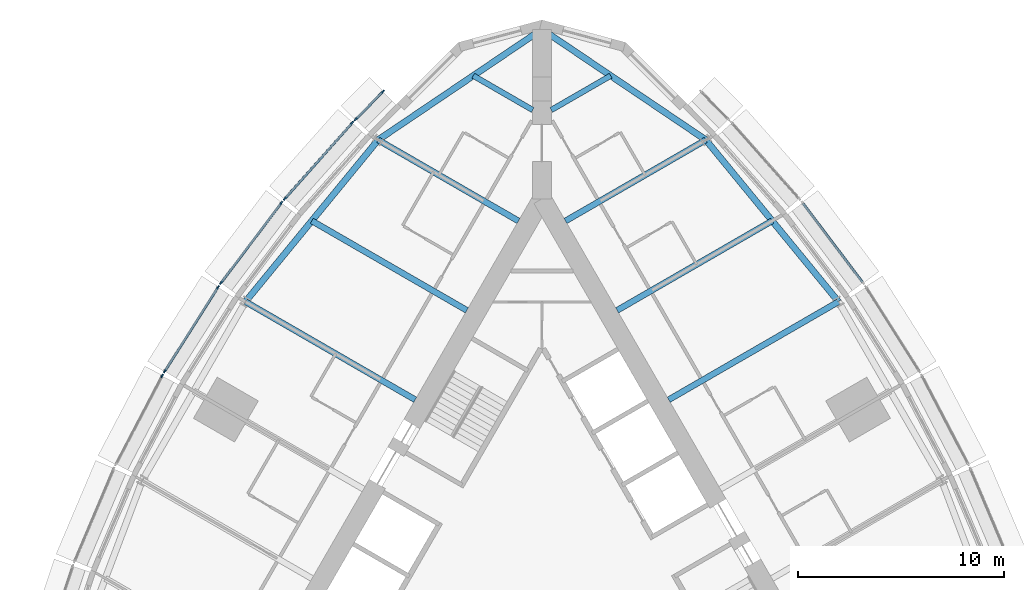
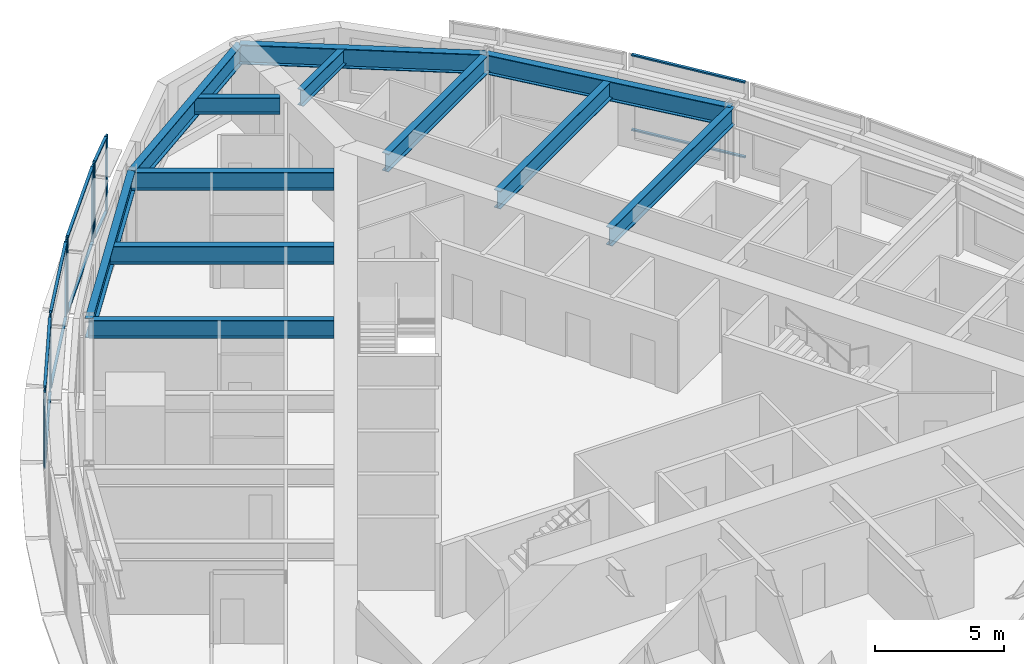
# One storey, part 5 of 15: 19 members, 12 beams, 6 elements without a shape of their own.
"""IFC4 building model written with IfcOpenShell, lengths in metres."""

from ifc_helpers import new_model, si_unit, direction, frame, origin, origin_2d, place, context, subcontext, project, spatial, rectangle, i_section, extrude, material, material_profile, profile_set, type_object, element, aggregate, save


model = new_model("IFC4")

# Units and contexts
model_context = context("Model", 3, precision=1e-05, world=origin(), true_north=direction((0.0, 1.0)))
body_context = subcontext(model_context, "Body", "Model", "MODEL_VIEW")
ifc_project = project(units=[si_unit("LENGTHUNIT", "METRE"), si_unit("AREAUNIT", "SQUARE_METRE"), si_unit("VOLUMEUNIT", "CUBIC_METRE"), si_unit("PLANEANGLEUNIT", "RADIAN"), si_unit("MASSUNIT", "GRAM", prefix="KILO")], contexts=[model_context])

# Site, building, storey
site_placement = place(None, origin())
site = spatial("IfcSite", under=ifc_project, at=site_placement, CompositionType="ELEMENT")
building_placement = place(site_placement, origin())
building = spatial("IfcBuilding", under=site, at=building_placement, Name="Trikona Tower", CompositionType="ELEMENT")
storey_placement = place(building_placement, frame((0.0, 0.0, 200.89990234375)))
storey = spatial("IfcBuildingStorey", under=building, at=storey_placement, Name="L53", CompositionType="ELEMENT", Elevation=200.89990234375)

# Curtain wall, members
ifc_material_1 = material(Name="Aluminium curtain wall system", Category="aluminium")
curtain_wall_type = type_object("IfcCurtainWallType", Name="Curtain wall DS3", PredefinedType="NOTDEFINED", material=ifc_material_1)
curtain_wall_1_placement = place(storey_placement, origin())
curtain_wall_1 = element("IfcCurtainWall", 1, at=curtain_wall_1_placement, inside=storey, type_object=curtain_wall_type, Name="Curtain wall DS3 L53", PredefinedType="NOTDEFINED")
ifc_material_2 = material(Name="Aluminium mullion, pale anodised", Category="aluminium")
ifc_material_profile_1 = material_profile(ifc_material_2, rectangle(XDim=0.070068359375, YDim=0.179931640625, at=origin_2d()), Name="MUL-DS3")
ifc_profile_set_1 = profile_set([ifc_material_profile_1], Name="Aluminium mullion, pale anodised")
member_type_1 = type_object("IfcMemberType", Name="Mullion DS3 70x180", PredefinedType="MULLION", material=ifc_profile_set_1)
member_1_placement = place(storey_placement, frame((-7.7060546875, 24.237548828125, 0.0), z_axis=(0.0, 0.0, 1.0), x_axis=(0.710051900554, -0.704149343903, 0.0)))
member_1 = element("IfcMember", 2, at=member_1_placement, type_object=member_type_1, Name="CW-DS3 mullion 1", PredefinedType="MULLION", context=body_context, shape_type="SweptSolid", body=[
    extrude(rectangle(XDim=0.070068359375, YDim=0.179931640625, at=origin_2d()), origin(), (0.0, 0.0, 1.0), 3.60009765625),
])
member_2_placement = place(storey_placement, frame((-9.028564453125, 22.904052734375, 0.0), z_axis=(0.0, 0.0, 1.0), x_axis=(0.710051900554, -0.704149343903, 0.0)))
member_2 = element("IfcMember", 3, at=member_2_placement, type_object=member_type_1, Name="CW-DS3 mullion 2", PredefinedType="MULLION", context=body_context, shape_type="SweptSolid", body=[
    extrude(rectangle(XDim=0.070068359375, YDim=0.179931640625, at=origin_2d()), origin(), (0.0, 0.0, 1.0), 3.60009765625),
])

curtain_wall_2_placement = place(storey_placement, origin())
curtain_wall_2 = element("IfcCurtainWall", 4, at=curtain_wall_2_placement, inside=storey, type_object=curtain_wall_type, Name="Curtain wall DS3 L53", PredefinedType="NOTDEFINED")
member_3_placement = place(storey_placement, frame((-9.192138671875, 22.729736328125, 0.0), z_axis=(0.0, 0.0, 1.0), x_axis=(0.747402677853, -0.664371309689, 0.0)))
member_3 = element("IfcMember", 5, at=member_3_placement, type_object=member_type_1, Name="CW-DS3 mullion 1", PredefinedType="MULLION", context=body_context, shape_type="SweptSolid", body=[
    extrude(rectangle(XDim=0.070068359375, YDim=0.179931640625, at=origin_2d()), origin(), (0.0, 0.0, 1.0), 3.60009765625),
])
member_4_placement = place(storey_placement, frame((-12.45751953125, 19.056396484375, 0.0), z_axis=(0.0, 0.0, 1.0), x_axis=(0.747402677853, -0.664371309689, 0.0)))
member_4 = element("IfcMember", 6, at=member_4_placement, type_object=member_type_1, Name="CW-DS3 mullion 2", PredefinedType="MULLION", context=body_context, shape_type="SweptSolid", body=[
    extrude(rectangle(XDim=0.070068359375, YDim=0.179931640625, at=origin_2d()), origin(), (0.0, 0.0, 1.0), 3.60009765625),
])

curtain_wall_3_placement = place(storey_placement, origin())
curtain_wall_3 = element("IfcCurtainWall", 7, at=curtain_wall_3_placement, inside=storey, type_object=curtain_wall_type, Name="Curtain wall DS3 L53", PredefinedType="NOTDEFINED")
member_5_placement = place(storey_placement, frame((-12.62353515625, 18.853759765625, 0.0), z_axis=(0.0, 0.0, 1.0), x_axis=(0.798193208724, -0.602401528506, 0.0)))
member_5 = element("IfcMember", 8, at=member_5_placement, type_object=member_type_1, Name="CW-DS3 mullion 1", PredefinedType="MULLION", context=body_context, shape_type="SweptSolid", body=[
    extrude(rectangle(XDim=0.070068359375, YDim=0.179931640625, at=origin_2d()), origin(), (0.0, 0.0, 1.0), 3.60009765625),
])
member_6_placement = place(storey_placement, frame((-15.5439453125, 14.984130859375, 0.0), z_axis=(0.0, 0.0, 1.0), x_axis=(0.798193208724, -0.602401528506, 0.0)))
member_6 = element("IfcMember", 9, at=member_6_placement, type_object=member_type_1, Name="CW-DS3 mullion 2", PredefinedType="MULLION", context=body_context, shape_type="SweptSolid", body=[
    extrude(rectangle(XDim=0.070068359375, YDim=0.179931640625, at=origin_2d()), origin(), (0.0, 0.0, 1.0), 3.60009765625),
])

curtain_wall_4_placement = place(storey_placement, origin())
curtain_wall_4 = element("IfcCurtainWall", 10, at=curtain_wall_4_placement, inside=storey, type_object=curtain_wall_type, Name="Curtain wall DS3 L53", PredefinedType="NOTDEFINED")
member_7_placement = place(storey_placement, frame((-15.69384765625, 14.767578125, 0.0), z_axis=(0.0, 0.0, 1.0), x_axis=(0.844727131858, -0.535197227854, 0.0)))
member_7 = element("IfcMember", 11, at=member_7_placement, type_object=member_type_1, Name="CW-DS3 mullion 1", PredefinedType="MULLION", context=body_context, shape_type="SweptSolid", body=[
    extrude(rectangle(XDim=0.070068359375, YDim=0.179931640625, at=origin_2d()), origin(), (0.0, 0.0, 1.0), 3.60009765625),
])
member_8_placement = place(storey_placement, frame((-18.2705078125, 10.700927734375, 0.0), z_axis=(0.0, 0.0, 1.0), x_axis=(0.844727131858, -0.535197227854, 0.0)))
member_8 = element("IfcMember", 12, at=member_8_placement, type_object=member_type_1, Name="CW-DS3 mullion 2", PredefinedType="MULLION", context=body_context, shape_type="SweptSolid", body=[
    extrude(rectangle(XDim=0.070068359375, YDim=0.179931640625, at=origin_2d()), origin(), (0.0, 0.0, 1.0), 3.60009765625),
])

# Curtain wall, member
curtain_wall_5_placement = place(storey_placement, origin())
curtain_wall_5 = element("IfcCurtainWall", 13, at=curtain_wall_5_placement, inside=storey, type_object=curtain_wall_type, Name="Curtain wall DS3 L53", PredefinedType="NOTDEFINED")
member_9_placement = place(storey_placement, frame((-18.40234375, 10.472412109375, 0.0), z_axis=(0.0, 0.0, 1.0), x_axis=(0.885862390527, -0.463948084434, 0.0)))
member_9 = element("IfcMember", 14, at=member_9_placement, type_object=member_type_1, Name="CW-DS3 mullion 1", PredefinedType="MULLION", context=body_context, shape_type="SweptSolid", body=[
    extrude(rectangle(XDim=0.070068359375, YDim=0.179931640625, at=origin_2d()), origin(), (0.0, 0.0, 1.0), 3.60009765625),
])
aggregate(curtain_wall_5, [member_9])

# Beams
ifc_material_3 = material(Name="Steel ASTM A992 Grade 50", Category="steel")
ifc_material_profile_2 = material_profile(ifc_material_3, i_section(OverallWidth=0.2666015625, OverallDepth=0.76953125, WebThickness=0.015625, FlangeThickness=0.025390625, at=origin_2d()), Name="W30X132")
ifc_profile_set_2 = profile_set([ifc_material_profile_2], Name="Steel ASTM A992 Grade 50")
beam_type_1 = type_object("IfcBeamType", Name="Steel beam W30x132 (wedge)", PredefinedType="BEAM", material=ifc_profile_set_2)
for number, where, z_axis, x_axis, name in (
    (15, (0.449951171875, 23.353759765625, 3.05029296875), (0.866019199568, 0.500010745865, 0.0), (-0.500010745865, 0.866019199568, 0.0), "Floor beam L54 F2 u20"),
    (16, (-0.449951171875, 23.353759765625, 3.05029296875), (-0.866019199568, 0.500010745865, 0.0), (-0.500010745865, -0.866019199568, 0.0), "Floor beam L54 F3 u-20"),
):
    element("IfcBeam", number, at=place(storey_placement, frame(where, z_axis=z_axis, x_axis=x_axis)), inside=storey, type_object=beam_type_1, Name=name, PredefinedType="BEAM", context=body_context, shape_type="SweptSolid", body=[
        extrude(i_section(OverallWidth=0.2666015625, OverallDepth=0.76953125, WebThickness=0.015625, FlangeThickness=0.025390625, at=origin_2d()), origin(), (0.0, 0.0, 1.0), 3.3232421875),
    ])
ifc_material_4 = material(Name="Steel ASTM A992 Grade 50", Category="steel")
ifc_material_profile_3 = material_profile(ifc_material_4, i_section(OverallWidth=0.2919921875, OverallDepth=0.845703125, WebThickness=0.015380859375, FlangeThickness=0.0244140625, at=origin_2d()), Name="W33X141")
ifc_profile_set_3 = profile_set([ifc_material_profile_3], Name="Steel ASTM A992 Grade 50")
beam_type_2 = type_object("IfcBeamType", Name="Steel beam W33x141 (radial typ)", PredefinedType="BEAM", material=ifc_profile_set_3)
beam_1_placement = place(storey_placement, frame((6.1396484375, 9.318359375, 3.01220703125), z_axis=(0.866030596895, 0.49999100516, 0.0), x_axis=(-0.49999100516, 0.866030596895, 0.0)))
element("IfcBeam", 17, at=beam_1_placement, inside=storey, type_object=beam_type_2, Name="Floor beam L54 F2 u5", PredefinedType="BEAM", context=body_context, shape_type="SweptSolid", body=[
    extrude(i_section(OverallWidth=0.2919921875, OverallDepth=0.845703125, WebThickness=0.015380859375, FlangeThickness=0.0244140625, at=origin_2d()), origin(), (0.0, 0.0, 1.0), 9.495849609375),
])
beam_2_placement = place(storey_placement, frame((3.6396484375, 13.6484375, 3.01220703125), z_axis=(0.866018686634, 0.500011634266, 0.0), x_axis=(-0.500011634266, 0.866018686634, 0.0)))
element("IfcBeam", 18, at=beam_2_placement, inside=storey, type_object=beam_type_2, Name="Floor beam L54 F2 u10", PredefinedType="BEAM", context=body_context, shape_type="SweptSolid", body=[
    extrude(i_section(OverallWidth=0.2919921875, OverallDepth=0.845703125, WebThickness=0.015380859375, FlangeThickness=0.0244140625, at=origin_2d()), origin(), (0.0, 0.0, 1.0), 8.672119140625),
])
for number, where, z_axis, x_axis, name in (
    (19, (1.1396484375, 17.978515625, 3.01220703125), (0.866025522914, 0.499999793661, 0.0), (-0.499999793661, 0.866025522914, 0.0), "Floor beam L54 F2 u15"),
    (20, (-1.1396484375, 17.978515625, 3.01220703125), (-0.866025522914, 0.499999793661, 0.0), (-0.499999793661, -0.866025522914, 0.0), "Floor beam L54 F3 u-15"),
):
    element("IfcBeam", number, at=place(storey_placement, frame(where, z_axis=z_axis, x_axis=x_axis)), inside=storey, type_object=beam_type_2, Name=name, PredefinedType="BEAM", context=body_context, shape_type="SweptSolid", body=[
        extrude(i_section(OverallWidth=0.2919921875, OverallDepth=0.845703125, WebThickness=0.015380859375, FlangeThickness=0.0244140625, at=origin_2d()), origin(), (0.0, 0.0, 1.0), 7.8486328125),
    ])
beam_3_placement = place(storey_placement, frame((-3.6396484375, 13.6484375, 3.01220703125), z_axis=(-0.866018686634, 0.500011634266, 0.0), x_axis=(-0.500011634266, -0.866018686634, 0.0)))
element("IfcBeam", 21, at=beam_3_placement, inside=storey, type_object=beam_type_2, Name="Floor beam L54 F3 u-10", PredefinedType="BEAM", context=body_context, shape_type="SweptSolid", body=[
    extrude(i_section(OverallWidth=0.2919921875, OverallDepth=0.845703125, WebThickness=0.015380859375, FlangeThickness=0.0244140625, at=origin_2d()), origin(), (0.0, 0.0, 1.0), 8.672119140625),
])
beam_4_placement = place(storey_placement, frame((-6.1396484375, 9.318359375, 3.01220703125), z_axis=(-0.866030596895, 0.49999100516, 0.0), x_axis=(-0.49999100516, -0.866030596895, 0.0)))
element("IfcBeam", 22, at=beam_4_placement, inside=storey, type_object=beam_type_2, Name="Floor beam L54 F3 u-5", PredefinedType="BEAM", context=body_context, shape_type="SweptSolid", body=[
    extrude(i_section(OverallWidth=0.2919921875, OverallDepth=0.845703125, WebThickness=0.015380859375, FlangeThickness=0.0244140625, at=origin_2d()), origin(), (0.0, 0.0, 1.0), 9.495849609375),
])
ifc_material_5 = material(Name="Steel ASTM A992 Grade 50", Category="steel")
ifc_material_profile_4 = material_profile(ifc_material_5, i_section(OverallWidth=0.307373046875, OverallDepth=0.922119140625, WebThickness=0.018310546875, FlangeThickness=0.030029296875, at=origin_2d()), Name="W36X182")
ifc_profile_set_4 = profile_set([ifc_material_profile_4], Name="Steel ASTM A992 Grade 50")
beam_type_3 = type_object("IfcBeamType", Name="Steel beam W36x182 (spandrel mid)", PredefinedType="SPANDREL", material=ifc_profile_set_4)
beam_5_placement = place(storey_placement, frame((14.36328125, 14.066162109375, 2.97412109375), z_axis=(-0.634105803308, 0.77324629337, 0.0), x_axis=(-0.77324629337, -0.634105803308, 0.0)))
element("IfcBeam", 23, at=beam_5_placement, inside=storey, type_object=beam_type_3, Name="Spandrel beam L54 F2-4", PredefinedType="SPANDREL", context=body_context, shape_type="SweptSolid", body=[
    extrude(i_section(OverallWidth=0.307373046875, OverallDepth=0.922119140625, WebThickness=0.018310546875, FlangeThickness=0.030029296875, at=origin_2d()), origin(), (0.0, 0.0, 1.0), 10.134765625),
])
for number, where, z_axis, x_axis, name in (
    (24, (7.936767578125, 21.90283203125, 2.97412109375), (-0.828725418029, 0.55965541319, 0.0), (-0.55965541319, -0.828725418029, 0.0), "Spandrel beam L54 F2-5"),
    (25, (0.0, 27.2626953125, 2.97412109375), (-0.828725418029, -0.55965541319, 0.0), (0.55965541319, -0.828725418029, 0.0), "Spandrel beam L54 F3-1"),
):
    element("IfcBeam", number, at=place(storey_placement, frame(where, z_axis=z_axis, x_axis=x_axis)), inside=storey, type_object=beam_type_3, Name=name, PredefinedType="SPANDREL", context=body_context, shape_type="SweptSolid", body=[
        extrude(i_section(OverallWidth=0.307373046875, OverallDepth=0.922119140625, WebThickness=0.018310546875, FlangeThickness=0.030029296875, at=origin_2d()), origin(), (0.0, 0.0, 1.0), 9.5771484375),
    ])
beam_6_placement = place(storey_placement, frame((-7.936767578125, 21.90283203125, 2.97412109375), z_axis=(-0.634105803308, -0.77324629337, 0.0), x_axis=(0.77324629337, -0.634105803308, 0.0)))
element("IfcBeam", 26, at=beam_6_placement, inside=storey, type_object=beam_type_3, Name="Spandrel beam L54 F3-2", PredefinedType="SPANDREL", context=body_context, shape_type="SweptSolid", body=[
    extrude(i_section(OverallWidth=0.307373046875, OverallDepth=0.922119140625, WebThickness=0.018310546875, FlangeThickness=0.030029296875, at=origin_2d()), origin(), (0.0, 0.0, 1.0), 10.134765625),
])

# Curtain wall, members
curtain_wall_6_placement = place(storey_placement, origin())
curtain_wall_6 = element("IfcCurtainWall", 27, at=curtain_wall_6_placement, inside=storey, type_object=curtain_wall_type, Name="Curtain wall DS3 L53", PredefinedType="NOTDEFINED")
ifc_material_6 = material(Name="Aluminium transom, pale anodised", Category="aluminium")
ifc_material_profile_5 = material_profile(ifc_material_6, rectangle(XDim=0.1201171875, YDim=0.070068359375, at=origin_2d()), Name="TRN-DS3")
ifc_profile_set_5 = profile_set([ifc_material_profile_5], Name="Aluminium transom, pale anodised")
member_type_2 = type_object("IfcMemberType", Name="Transom DS3 70x120", PredefinedType="USERDEFINED", material=ifc_profile_set_5)
member_10_placement = place(storey_placement, frame((15.52294921875, 15.011962890625, 0.03515625), z_axis=(-0.602400763927, 0.798193785756, 0.0), x_axis=(-0.798193785756, -0.602400763927, 0.0)))
member_10 = element("IfcMember", 28, at=member_10_placement, type_object=member_type_2, Name="CW-DS3 transom 1.1", ObjectType="TRANSOM", PredefinedType="USERDEFINED", context=body_context, shape_type="SweptSolid", body=[
    extrude(rectangle(XDim=0.1201171875, YDim=0.070068359375, at=origin_2d()), origin(), (0.0, 0.0, 1.0), 4.7783203125),
])
member_11_placement = place(storey_placement, frame((15.52294921875, 15.011962890625, 3.565185546875), z_axis=(-0.602400763927, 0.798193785756, 0.0), x_axis=(-0.798193785756, -0.602400763927, 0.0)))
member_11 = element("IfcMember", 29, at=member_11_placement, type_object=member_type_2, Name="CW-DS3 transom 1.2", ObjectType="TRANSOM", PredefinedType="USERDEFINED", context=body_context, shape_type="SweptSolid", body=[
    extrude(rectangle(XDim=0.1201171875, YDim=0.070068359375, at=origin_2d()), origin(), (0.0, 0.0, 1.0), 4.7783203125),
])
aggregate(curtain_wall_6, [member_10, member_11])

# Member
member_12_placement = place(storey_placement, frame((-7.73046875, 24.212890625, 0.03515625), z_axis=(-0.704130668076, -0.710070420645, 0.0), x_axis=(0.710070420645, -0.704130668076, 0.0)))
member_12 = element("IfcMember", 30, at=member_12_placement, type_object=member_type_2, Name="CW-DS3 transom 1.1", ObjectType="TRANSOM", PredefinedType="USERDEFINED", context=body_context, shape_type="SweptSolid", body=[
    extrude(rectangle(XDim=0.1201171875, YDim=0.070068359375, at=origin_2d()), origin(), (0.0, 0.0, 1.0), 1.80859375),
])

member_13_placement = place(storey_placement, frame((-7.73046875, 24.212890625, 3.565185546875), z_axis=(-0.704130668076, -0.710070420645, 0.0), x_axis=(0.710070420645, -0.704130668076, 0.0)))
member_13 = element("IfcMember", 31, at=member_13_placement, type_object=member_type_2, Name="CW-DS3 transom 1.2", ObjectType="TRANSOM", PredefinedType="USERDEFINED", context=body_context, shape_type="SweptSolid", body=[
    extrude(rectangle(XDim=0.1201171875, YDim=0.070068359375, at=origin_2d()), origin(), (0.0, 0.0, 1.0), 1.80859375),
])

aggregate(curtain_wall_1, [member_1, member_2, member_12, member_13])

member_14_placement = place(storey_placement, frame((-9.21533203125, 22.70361328125, 0.03515625), z_axis=(-0.66436383883, -0.747409318684, 0.0), x_axis=(0.747409318684, -0.66436383883, 0.0)))
member_14 = element("IfcMember", 32, at=member_14_placement, type_object=member_type_2, Name="CW-DS3 transom 1.1", ObjectType="TRANSOM", PredefinedType="USERDEFINED", context=body_context, shape_type="SweptSolid", body=[
    extrude(rectangle(XDim=0.1201171875, YDim=0.070068359375, at=origin_2d()), origin(), (0.0, 0.0, 1.0), 4.844970703125),
])

member_15_placement = place(storey_placement, frame((-9.21533203125, 22.70361328125, 3.565185546875), z_axis=(-0.66436383883, -0.747409318684, 0.0), x_axis=(0.747409318684, -0.66436383883, 0.0)))
member_15 = element("IfcMember", 33, at=member_15_placement, type_object=member_type_2, Name="CW-DS3 transom 1.2", ObjectType="TRANSOM", PredefinedType="USERDEFINED", context=body_context, shape_type="SweptSolid", body=[
    extrude(rectangle(XDim=0.1201171875, YDim=0.070068359375, at=origin_2d()), origin(), (0.0, 0.0, 1.0), 4.844970703125),
])

aggregate(curtain_wall_2, [member_3, member_4, member_14, member_15])

member_16_placement = place(storey_placement, frame((-12.64453125, 18.825927734375, 0.03515625), z_axis=(-0.602400763927, -0.798193785756, 0.0), x_axis=(0.798193785756, -0.602400763927, 0.0)))
member_16 = element("IfcMember", 34, at=member_16_placement, type_object=member_type_2, Name="CW-DS3 transom 1.1", ObjectType="TRANSOM", PredefinedType="USERDEFINED", context=body_context, shape_type="SweptSolid", body=[
    extrude(rectangle(XDim=0.1201171875, YDim=0.070068359375, at=origin_2d()), origin(), (0.0, 0.0, 1.0), 4.7783203125),
])

member_17_placement = place(storey_placement, frame((-12.64453125, 18.825927734375, 3.565185546875), z_axis=(-0.602400763927, -0.798193785756, 0.0), x_axis=(0.798193785756, -0.602400763927, 0.0)))
member_17 = element("IfcMember", 35, at=member_17_placement, type_object=member_type_2, Name="CW-DS3 transom 1.2", ObjectType="TRANSOM", PredefinedType="USERDEFINED", context=body_context, shape_type="SweptSolid", body=[
    extrude(rectangle(XDim=0.1201171875, YDim=0.070068359375, at=origin_2d()), origin(), (0.0, 0.0, 1.0), 4.7783203125),
])

aggregate(curtain_wall_3, [member_5, member_6, member_16, member_17])

member_18_placement = place(storey_placement, frame((-15.712646484375, 14.738037109375, 0.03515625), z_axis=(-0.535192866729, -0.844729894938, 0.0), x_axis=(0.844729894938, -0.535192866729, 0.0)))
member_18 = element("IfcMember", 36, at=member_18_placement, type_object=member_type_2, Name="CW-DS3 transom 1.1", ObjectType="TRANSOM", PredefinedType="USERDEFINED", context=body_context, shape_type="SweptSolid", body=[
    extrude(rectangle(XDim=0.1201171875, YDim=0.070068359375, at=origin_2d()), origin(), (0.0, 0.0, 1.0), 4.744140625),
])

member_19_placement = place(storey_placement, frame((-15.712646484375, 14.738037109375, 3.565185546875), z_axis=(-0.535192866729, -0.844729894938, 0.0), x_axis=(0.844729894938, -0.535192866729, 0.0)))
member_19 = element("IfcMember", 37, at=member_19_placement, type_object=member_type_2, Name="CW-DS3 transom 1.2", ObjectType="TRANSOM", PredefinedType="USERDEFINED", context=body_context, shape_type="SweptSolid", body=[
    extrude(rectangle(XDim=0.1201171875, YDim=0.070068359375, at=origin_2d()), origin(), (0.0, 0.0, 1.0), 4.744140625),
])

aggregate(curtain_wall_4, [member_7, member_8, member_18, member_19])

save(model, "model.ifc")
